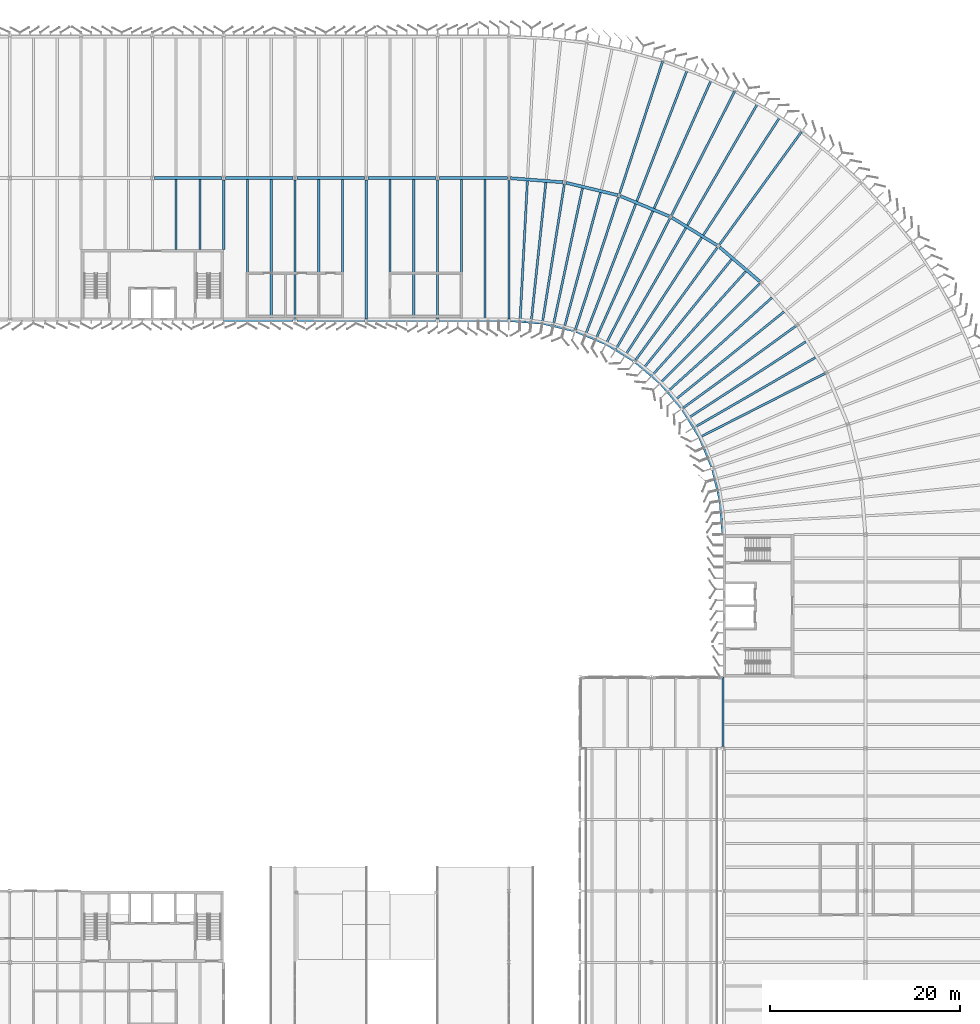
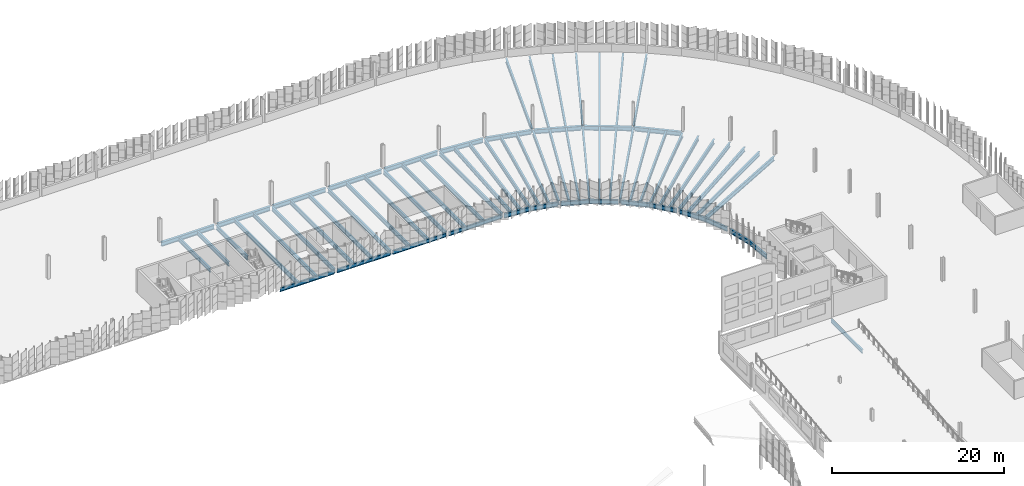
# One storey, part 43 of 199: 68 beams.
"""IFC4 building model written with IfcOpenShell, lengths in metres."""

from ifc_helpers import new_model, si_unit, direction, frame, origin, origin_2d, place, context, subcontext, project, spatial, i_section, extrude, material, material_profile, profile_set, type_object, element, save


model = new_model("IFC4")

# Units and contexts
model_context = context("Model", 3, precision=1e-05, world=origin(), true_north=direction((0.0, 1.0)))
body_context = subcontext(model_context, "Body", "Model", "MODEL_VIEW")
ifc_project = project(units=[si_unit("LENGTHUNIT", "METRE"), si_unit("AREAUNIT", "SQUARE_METRE"), si_unit("VOLUMEUNIT", "CUBIC_METRE"), si_unit("PLANEANGLEUNIT", "RADIAN"), si_unit("MASSUNIT", "GRAM", prefix="KILO")], contexts=[model_context])

# Site, building, storey
site_placement = place(None, origin())
site = spatial("IfcSite", under=ifc_project, at=site_placement, CompositionType="ELEMENT")
building_placement = place(site_placement, origin())
building = spatial("IfcBuilding", under=site, at=building_placement, Name="Parallax Yard Mobility Hub", CompositionType="ELEMENT")
storey_placement = place(building_placement, frame((0.0, 0.0, 9.89990234375)))
storey = spatial("IfcBuildingStorey", under=building, at=storey_placement, Name="L03", CompositionType="ELEMENT", Elevation=9.89990234375)

# Beams
ifc_material = material(Name="Steel ASTM A992", Category="steel")
ifc_material_profile_1 = material_profile(ifc_material, i_section(OverallWidth=0.208984375, OverallDepth=0.532958984375, WebThickness=0.01025390625, FlangeThickness=0.015625, FilletRadius=0.0126953125, at=origin_2d()), Name="W530x92")
ifc_profile_set_1 = profile_set([ifc_material_profile_1], Name="Steel ASTM A992")
beam_type_1 = type_object("IfcBeamType", Name="W530x92 edge beam", PredefinedType="SPANDREL", material=ifc_profile_set_1)
for number, where, z_axis, x_axis, name in (
    (1, (195.0, 67.6865234375, -0.406494140625), (0.0, 1.0, 0.0), (-1.0, 0.0, 0.0), "Edge beam SB5 level L03, line 27 of ramped parking decks, span 6"),
    (2, (142.5, 112.5, -0.406494140625), (1.0, 0.0, 0.0), (0.0, 1.0, 0.0), "Edge beam SB5 level L03, line R of ramped parking decks, span 12"),
):
    element("IfcBeam", number, at=place(storey_placement, frame(where, z_axis=z_axis, x_axis=x_axis)), inside=storey, type_object=beam_type_1, Name=name, PredefinedType="SPANDREL", context=body_context, shape_type="SweptSolid", body=[
        extrude(i_section(OverallWidth=0.208984375, OverallDepth=0.532958984375, WebThickness=0.01025390625, FlangeThickness=0.015625, FilletRadius=0.0126953125, at=origin_2d()), origin(), (0.0, 0.0, 1.0), 7.3134765625),
    ])
beam_1_placement = place(storey_placement, frame((150.1865234375, 112.5, -0.406494140625), z_axis=(1.0, 0.0, 0.0), x_axis=(0.0, 1.0, 0.0)))
element("IfcBeam", 3, at=beam_1_placement, inside=storey, type_object=beam_type_1, Name="Edge beam SB5 level L03, line R of ramped parking decks, span 13", PredefinedType="SPANDREL", context=body_context, shape_type="SweptSolid", body=[
    extrude(i_section(OverallWidth=0.208984375, OverallDepth=0.532958984375, WebThickness=0.01025390625, FlangeThickness=0.015625, FilletRadius=0.0126953125, at=origin_2d()), origin(), (0.0, 0.0, 1.0), 7.160888671875),
])
for number, where, z_axis, x_axis, name in (
    (4, (157.652587890625, 112.5, -0.406494140625), (1.0, 0.0, 0.0), (0.0, 1.0, 0.0), "Edge beam SB5 level L03, line R of ramped parking decks, span 14"),
    (5, (165.152587890625, 112.5, -0.406494140625), (1.0, 0.0, 0.0), (0.0, 1.0, 0.0), "Edge beam SB5 level L03, line R of ramped parking decks, span 15"),
):
    element("IfcBeam", number, at=place(storey_placement, frame(where, z_axis=z_axis, x_axis=x_axis)), inside=storey, type_object=beam_type_1, Name=name, PredefinedType="SPANDREL", context=body_context, shape_type="SweptSolid", body=[
        extrude(i_section(OverallWidth=0.208984375, OverallDepth=0.532958984375, WebThickness=0.01025390625, FlangeThickness=0.015625, FilletRadius=0.0126953125, at=origin_2d()), origin(), (0.0, 0.0, 1.0), 7.19482421875),
    ])
ifc_material_profile_2 = material_profile(ifc_material, i_section(OverallWidth=0.22802734375, OverallDepth=0.60205078125, WebThickness=0.010498046875, FlangeThickness=0.014892578125, FilletRadius=0.0126953125, at=origin_2d()), Name="W610x101")
ifc_profile_set_2 = profile_set([ifc_material_profile_2], Name="Steel ASTM A992")
beam_type_2 = type_object("IfcBeamType", Name="W610x101 secondary beam", PredefinedType="JOIST", material=ifc_profile_set_2)
beam_2_placement = place(storey_placement, frame((137.5, 120.0, -0.44091796875), z_axis=(0.0, 1.0, 0.0), x_axis=(-1.0, 0.0, 0.0)))
element("IfcBeam", 6, at=beam_2_placement, inside=storey, type_object=beam_type_2, Name="Secondary beam B3 level L03, 2.5 m east of line 19 of ramped parking decks, span 1", PredefinedType="JOIST", context=body_context, shape_type="SweptSolid", body=[
    extrude(i_section(OverallWidth=0.22802734375, OverallDepth=0.60205078125, WebThickness=0.010498046875, FlangeThickness=0.014892578125, FilletRadius=0.0126953125, at=origin_2d()), origin(), (0.0, 0.0, 1.0), 7.33740234375),
])
for number, where, z_axis, x_axis, name in (
    (7, (145.0, 112.6044921875, -0.44091796875), (0.0, 1.0, 0.0), (-1.0, 0.0, 0.0), "Secondary beam B3 level L03, 2.5 m east of line 20 of ramped parking decks, span 1"),
    (8, (152.5, 112.6044921875, -0.44091796875), (0.0, 1.0, 0.0), (-1.0, 0.0, 0.0), "Secondary beam B3 level L03, 2.5 m east of line 21 of ramped parking decks, span 1"),
    (9, (160.0, 112.6044921875, -0.44091796875), (0.0, 1.0, 0.0), (-1.0, 0.0, 0.0), "Secondary beam B3 level L03, 2.5 m east of line 22 of ramped parking decks, span 1"),
    (10, (167.5, 112.6044921875, -0.44091796875), (0.0, 1.0, 0.0), (-1.0, 0.0, 0.0), "Secondary beam B3 level L03, 2.5 m east of line 23 of ramped parking decks, span 1"),
):
    element("IfcBeam", number, at=place(storey_placement, frame(where, z_axis=z_axis, x_axis=x_axis)), inside=storey, type_object=beam_type_2, Name=name, PredefinedType="JOIST", context=body_context, shape_type="SweptSolid", body=[
        extrude(i_section(OverallWidth=0.22802734375, OverallDepth=0.60205078125, WebThickness=0.010498046875, FlangeThickness=0.014892578125, FilletRadius=0.0126953125, at=origin_2d()), origin(), (0.0, 0.0, 1.0), 14.73291015625),
    ])
beam_3_placement = place(storey_placement, frame((140.0, 120.0, -0.44091796875), z_axis=(0.0, 1.0, 0.0), x_axis=(-1.0, 0.0, 0.0)))
element("IfcBeam", 11, at=beam_3_placement, inside=storey, type_object=beam_type_2, Name="Secondary beam B3 level L03, 5 m east of line 19 of ramped parking decks, span 1", PredefinedType="JOIST", context=body_context, shape_type="SweptSolid", body=[
    extrude(i_section(OverallWidth=0.22802734375, OverallDepth=0.60205078125, WebThickness=0.010498046875, FlangeThickness=0.014892578125, FilletRadius=0.0126953125, at=origin_2d()), origin(), (0.0, 0.0, 1.0), 7.33740234375),
])
for number, where, z_axis, x_axis, name in (
    (12, (147.5, 112.6044921875, -0.44091796875), (0.0, 1.0, 0.0), (-1.0, 0.0, 0.0), "Secondary beam B3 level L03, 5 m east of line 20 of ramped parking decks, span 1"),
    (13, (155.0, 112.6044921875, -0.44091796875), (0.0, 1.0, 0.0), (-1.0, 0.0, 0.0), "Secondary beam B3 level L03, 5 m east of line 21 of ramped parking decks, span 1"),
    (14, (162.5, 112.6044921875, -0.44091796875), (0.0, 1.0, 0.0), (-1.0, 0.0, 0.0), "Secondary beam B3 level L03, 5 m east of line 22 of ramped parking decks, span 1"),
    (15, (170.0, 112.6044921875, -0.44091796875), (0.0, 1.0, 0.0), (-1.0, 0.0, 0.0), "Secondary beam B3 level L03, 5 m east of line 23 of ramped parking decks, span 1"),
):
    element("IfcBeam", number, at=place(storey_placement, frame(where, z_axis=z_axis, x_axis=x_axis)), inside=storey, type_object=beam_type_2, Name=name, PredefinedType="JOIST", context=body_context, shape_type="SweptSolid", body=[
        extrude(i_section(OverallWidth=0.22802734375, OverallDepth=0.60205078125, WebThickness=0.010498046875, FlangeThickness=0.014892578125, FilletRadius=0.0126953125, at=origin_2d()), origin(), (0.0, 0.0, 1.0), 14.73291015625),
    ])
for number, where, z_axis, x_axis, name in (
    (16, (177.18896484375, 112.06005859375, -0.44091796875), (0.207911657875, 0.978147607736, 0.0), (-0.978147607736, 0.207911657875, 0.0), "Secondary beam B3 level L03, radial at 12 degrees of ramped parking decks, span 1"),
    (17, (178.337158203125, 111.784423828125, -0.44091796875), (0.258813386129, 0.965927342589, 0.0), (-0.965927342589, 0.258813386129, 0.0), "Secondary beam B3 level L03, radial at 15 degrees of ramped parking decks, span 1"),
    (18, (180.582275390625, 111.054931640625, -0.44091796875), (0.358354982937, 0.933585403808, 0.0), (-0.933585403808, 0.358354982937, 0.0), "Secondary beam B3 level L03, radial at 21 degrees of ramped parking decks, span 1"),
    (19, (185.960205078125, 125.065185546875, -0.44091796875), (0.358369476341, 0.933579840414, 0.0), (-0.933579840414, 0.358369476341, 0.0), "Secondary beam B3 level L03, radial at 21 degrees of ramped parking decks, span 2"),
    (20, (181.673095703125, 110.60302734375, -0.44091796875), (0.406743189488, 0.913542542964, 0.0), (-0.913542542964, 0.406743189488, 0.0), "Secondary beam B3 level L03, radial at 24 degrees of ramped parking decks, span 1"),
):
    element("IfcBeam", number, at=place(storey_placement, frame(where, z_axis=z_axis, x_axis=x_axis)), inside=storey, type_object=beam_type_2, Name=name, PredefinedType="JOIST", context=body_context, shape_type="SweptSolid", body=[
        extrude(i_section(OverallWidth=0.22802734375, OverallDepth=0.60205078125, WebThickness=0.010498046875, FlangeThickness=0.014892578125, FilletRadius=0.0126953125, at=origin_2d()), origin(), (0.0, 0.0, 1.0), 14.681640625),
    ])
beam_4_placement = place(storey_placement, frame((187.77685546875, 124.3125, -0.44091796875), z_axis=(0.406737010648, 0.913545293989, 0.0), x_axis=(-0.913545293989, 0.406737010648, 0.0)))
element("IfcBeam", 21, at=beam_4_placement, inside=storey, type_object=beam_type_2, Name="Secondary beam B3 level L03, radial at 24 degrees of ramped parking decks, span 2", PredefinedType="JOIST", context=body_context, shape_type="SweptSolid", body=[
    extrude(i_section(OverallWidth=0.22802734375, OverallDepth=0.60205078125, WebThickness=0.010498046875, FlangeThickness=0.014892578125, FilletRadius=0.0126953125, at=origin_2d()), origin(), (0.0, 0.0, 1.0), 14.681884765625),
])
beam_5_placement = place(storey_placement, frame((173.680419921875, 112.52197265625, -0.44091796875), z_axis=(0.052331034694, 0.99862979267, 0.0), x_axis=(-0.99862979267, 0.052331034694, 0.0)))
element("IfcBeam", 22, at=beam_5_placement, inside=storey, type_object=beam_type_2, Name="Secondary beam B3 level L03, radial at 3 degrees of ramped parking decks, span 1", PredefinedType="JOIST", context=body_context, shape_type="SweptSolid", body=[
    extrude(i_section(OverallWidth=0.22802734375, OverallDepth=0.60205078125, WebThickness=0.010498046875, FlangeThickness=0.014892578125, FilletRadius=0.0126953125, at=origin_2d()), origin(), (0.0, 0.0, 1.0), 14.681640625),
])
for number, where, z_axis, x_axis, name in (
    (23, (183.7763671875, 109.53125, -0.44091796875), (0.499994986164, 0.866028298505, 0.0), (-0.866028298505, 0.499994986164, 0.0), "Secondary beam B3 level L03, radial at 30 degrees of ramped parking decks, span 1"),
    (24, (191.27978515625, 122.527587890625, -0.44091796875), (0.499994986164, 0.866028298505, 0.0), (-0.866028298505, 0.499994986164, 0.0), "Secondary beam B3 level L03, radial at 30 degrees of ramped parking decks, span 2"),
):
    element("IfcBeam", number, at=place(storey_placement, frame(where, z_axis=z_axis, x_axis=x_axis)), inside=storey, type_object=beam_type_2, Name=name, PredefinedType="JOIST", context=body_context, shape_type="SweptSolid", body=[
        extrude(i_section(OverallWidth=0.22802734375, OverallDepth=0.60205078125, WebThickness=0.010498046875, FlangeThickness=0.014892578125, FilletRadius=0.0126953125, at=origin_2d()), origin(), (0.0, 0.0, 1.0), 14.681884765625),
    ])
beam_6_placement = place(storey_placement, frame((184.783203125, 108.914306640625, -0.44091796875), z_axis=(0.544628836303, 0.838677190978, 0.0), x_axis=(-0.838677190978, 0.544628836303, 0.0)))
element("IfcBeam", 25, at=beam_6_placement, inside=storey, type_object=beam_type_2, Name="Secondary beam B3 level L03, radial at 33 degrees of ramped parking decks, span 1", PredefinedType="JOIST", context=body_context, shape_type="SweptSolid", body=[
    extrude(i_section(OverallWidth=0.22802734375, OverallDepth=0.60205078125, WebThickness=0.010498046875, FlangeThickness=0.014892578125, FilletRadius=0.0126953125, at=origin_2d()), origin(), (0.0, 0.0, 1.0), 14.681640625),
])
for number, where, z_axis, x_axis, name in (
    (26, (192.95654296875, 121.500244140625, -0.44091796875), (0.544640532551, 0.838669595432, 0.0), (-0.838669595432, 0.544640532551, 0.0), "Secondary beam B3 level L03, radial at 33 degrees of ramped parking decks, span 2"),
    (27, (186.693115234375, 107.52685546875, -0.44091796875), (0.629317812071, 0.777148049865, 0.0), (-0.777148049865, 0.629317812071, 0.0), "Secondary beam B3 level L03, radial at 39 degrees of ramped parking decks, span 1"),
):
    element("IfcBeam", number, at=place(storey_placement, frame(where, z_axis=z_axis, x_axis=x_axis)), inside=storey, type_object=beam_type_2, Name=name, PredefinedType="JOIST", context=body_context, shape_type="SweptSolid", body=[
        extrude(i_section(OverallWidth=0.22802734375, OverallDepth=0.60205078125, WebThickness=0.010498046875, FlangeThickness=0.014892578125, FilletRadius=0.0126953125, at=origin_2d()), origin(), (0.0, 0.0, 1.0), 14.681884765625),
    ])
for number, where, z_axis, x_axis, name in (
    (28, (187.5908203125, 106.760009765625, -0.44091796875), (0.669130085287, 0.743145294652, 0.0), (-0.743145294652, 0.669130085287, 0.0), "Secondary beam B3 level L03, radial at 42 degrees of ramped parking decks, span 1"),
    (29, (189.260009765625, 105.0908203125, -0.44091796875), (0.743145294652, 0.669130085287, 0.0), (-0.669130085287, 0.743145294652, 0.0), "Secondary beam B3 level L03, radial at 48 degrees of ramped parking decks, span 1"),
):
    element("IfcBeam", number, at=place(storey_placement, frame(where, z_axis=z_axis, x_axis=x_axis)), inside=storey, type_object=beam_type_2, Name=name, PredefinedType="JOIST", context=body_context, shape_type="SweptSolid", body=[
        extrude(i_section(OverallWidth=0.22802734375, OverallDepth=0.60205078125, WebThickness=0.010498046875, FlangeThickness=0.014892578125, FilletRadius=0.0126953125, at=origin_2d()), origin(), (0.0, 0.0, 1.0), 14.681640625),
    ])
beam_7_placement = place(storey_placement, frame((190.02685546875, 104.193115234375, -0.44091796875), z_axis=(0.777148049865, 0.629317812071, 0.0), x_axis=(-0.629317812071, 0.777148049865, 0.0)))
element("IfcBeam", 30, at=beam_7_placement, inside=storey, type_object=beam_type_2, Name="Secondary beam B3 level L03, radial at 51 degrees of ramped parking decks, span 1", PredefinedType="JOIST", context=body_context, shape_type="SweptSolid", body=[
    extrude(i_section(OverallWidth=0.22802734375, OverallDepth=0.60205078125, WebThickness=0.010498046875, FlangeThickness=0.014892578125, FilletRadius=0.0126953125, at=origin_2d()), origin(), (0.0, 0.0, 1.0), 14.681884765625),
])
beam_8_placement = place(storey_placement, frame((191.414306640625, 102.283203125, -0.44091796875), z_axis=(0.838677190978, 0.544628836303, 0.0), x_axis=(-0.544628836303, 0.838677190978, 0.0)))
element("IfcBeam", 31, at=beam_8_placement, inside=storey, type_object=beam_type_2, Name="Secondary beam B3 level L03, radial at 57 degrees of ramped parking decks, span 1", PredefinedType="JOIST", context=body_context, shape_type="SweptSolid", body=[
    extrude(i_section(OverallWidth=0.22802734375, OverallDepth=0.60205078125, WebThickness=0.010498046875, FlangeThickness=0.014892578125, FilletRadius=0.0126953125, at=origin_2d()), origin(), (0.0, 0.0, 1.0), 14.681640625),
])
for number, where, z_axis, x_axis, name in (
    (32, (174.857421875, 112.42919921875, -0.44091796875), (0.104527244507, 0.994522023464, 0.0), (-0.994522023464, 0.104527244507, 0.0), "Secondary beam B3 level L03, radial at 6 degrees of ramped parking decks, span 1"),
    (33, (192.03125, 101.2763671875, -0.44091796875), (0.866028298505, 0.499994986164, 0.0), (-0.499994986164, 0.866028298505, 0.0), "Secondary beam B3 level L03, radial at 60 degrees of ramped parking decks, span 1"),
):
    element("IfcBeam", number, at=place(storey_placement, frame(where, z_axis=z_axis, x_axis=x_axis)), inside=storey, type_object=beam_type_2, Name=name, PredefinedType="JOIST", context=body_context, shape_type="SweptSolid", body=[
        extrude(i_section(OverallWidth=0.22802734375, OverallDepth=0.60205078125, WebThickness=0.010498046875, FlangeThickness=0.014892578125, FilletRadius=0.0126953125, at=origin_2d()), origin(), (0.0, 0.0, 1.0), 14.681884765625),
    ])
ifc_material_profile_3 = material_profile(ifc_material, i_section(OverallWidth=0.22900390625, OverallDepth=0.612060546875, WebThickness=0.011962890625, FlangeThickness=0.01953125, FilletRadius=0.0126953125, at=origin_2d()), Name="W610x125")
ifc_profile_set_3 = profile_set([ifc_material_profile_3], Name="Steel ASTM A992")
beam_type_3 = type_object("IfcBeamType", Name="W610x125 edge beam", PredefinedType="SPANDREL", material=ifc_profile_set_3)
for number, where, z_axis, x_axis, name in (
    (34, (172.652587890625, 112.488037109375, -0.44580078125), (0.996914245703, -0.078498323001, 0.0), (0.078498323001, 0.996914245703, 0.0), "Edge beam SB7 level L03, ring RA of ramped parking decks, span 1"),
    (35, (176.019775390625, 112.222900390625, -0.44580078125), (0.972382709115, -0.233392088585, 0.0), (0.233392088585, 0.972382709115, 0.0), "Edge beam SB7 level L03, ring RA of ramped parking decks, span 2"),
    (36, (179.59423828125, 111.34033203125, -0.44580078125), (0.923866186286, -0.382715651415, 0.0), (0.382715651415, 0.923866186286, 0.0), "Edge beam SB7 level L03, ring RA of ramped parking decks, span 3"),
    (37, (182.71484375, 110.047607421875, -0.44580078125), (0.852627222233, -0.522519683751, 0.0), (0.522519683751, 0.852627222233, 0.0), "Edge beam SB7 level L03, ring RA of ramped parking decks, span 4"),
    (38, (185.841552734375, 108.103515625, -0.44580078125), (0.760403424442, -0.649451023632, 0.0), (0.649451023632, 0.760403424442, 0.0), "Edge beam SB7 level L03, ring RA of ramped parking decks, span 5"),
    (39, (188.409912109375, 105.909912109375, -0.44580078125), (0.649451023632, -0.760403424442, 0.0), (0.760403424442, 0.649451023632, 0.0), "Edge beam SB7 level L03, ring RA of ramped parking decks, span 6"),
    (40, (190.78271484375, 103.0947265625, -0.44580078125), (0.522519683751, -0.852627222233, 0.0), (0.852627222233, 0.522519683751, 0.0), "Edge beam SB7 level L03, ring RA of ramped parking decks, span 7"),
):
    element("IfcBeam", number, at=place(storey_placement, frame(where, z_axis=z_axis, x_axis=x_axis)), inside=storey, type_object=beam_type_3, Name=name, PredefinedType="SPANDREL", context=body_context, shape_type="SweptSolid", body=[
        extrude(i_section(OverallWidth=0.22900390625, OverallDepth=0.612060546875, WebThickness=0.011962890625, FlangeThickness=0.01953125, FilletRadius=0.0126953125, at=origin_2d()), origin(), (0.0, 0.0, 1.0), 3.377685546875),
    ])
for number, where, z_axis, x_axis, name in (
    (41, (192.547607421875, 100.21484375, -0.44580078125), (0.382680677364, -0.923880673665, 0.0), (0.923880673665, 0.382680677364, 0.0), "Edge beam SB7 level L03, ring RA of ramped parking decks, span 8"),
    (42, (193.9423828125, 96.77099609375, -0.44580078125), (0.23343646934, -0.972372055739, 0.0), (0.972372055739, 0.23343646934, 0.0), "Edge beam SB7 level L03, ring RA of ramped parking decks, span 9"),
):
    element("IfcBeam", number, at=place(storey_placement, frame(where, z_axis=z_axis, x_axis=x_axis)), inside=storey, type_object=beam_type_3, Name=name, PredefinedType="SPANDREL", context=body_context, shape_type="SweptSolid", body=[
        extrude(i_section(OverallWidth=0.22900390625, OverallDepth=0.612060546875, WebThickness=0.011962890625, FlangeThickness=0.01953125, FilletRadius=0.0126953125, at=origin_2d()), origin(), (0.0, 0.0, 1.0), 3.343505859375),
    ])
beam_9_placement = place(storey_placement, frame((194.722900390625, 93.519775390625, -0.44580078125), z_axis=(0.078483663652, -0.996915399891, 0.0), x_axis=(0.996915399891, 0.078483663652, 0.0)))
element("IfcBeam", 43, at=beam_9_placement, inside=storey, type_object=beam_type_3, Name="Edge beam SB7 level L03, ring RA of ramped parking decks, span 10", PredefinedType="SPANDREL", context=body_context, shape_type="SweptSolid", body=[
    extrude(i_section(OverallWidth=0.22900390625, OverallDepth=0.612060546875, WebThickness=0.011962890625, FlangeThickness=0.01953125, FilletRadius=0.0126953125, at=origin_2d()), origin(), (0.0, 0.0, 1.0), 3.53076171875),
])
ifc_material_profile_4 = material_profile(ifc_material, i_section(OverallWidth=0.22900390625, OverallDepth=0.612060546875, WebThickness=0.011962890625, FlangeThickness=0.01953125, FilletRadius=0.0126953125, at=origin_2d()), Name="W610x125")
ifc_profile_set_4 = profile_set([ifc_material_profile_4], Name="Steel ASTM A992")
beam_type_4 = type_object("IfcBeamType", Name="W610x125 girder", PredefinedType="BEAM", material=ifc_profile_set_4)
beam_10_placement = place(storey_placement, frame((142.5, 120.0, -0.44580078125), z_axis=(0.0, 1.0, 0.0), x_axis=(-1.0, 0.0, 0.0)))
element("IfcBeam", 44, at=beam_10_placement, inside=storey, type_object=beam_type_4, Name="Girder G3 level L03, line 20 of ramped parking decks, span 1", PredefinedType="BEAM", context=body_context, shape_type="SweptSolid", body=[
    extrude(i_section(OverallWidth=0.22900390625, OverallDepth=0.612060546875, WebThickness=0.011962890625, FlangeThickness=0.01953125, FilletRadius=0.0126953125, at=origin_2d()), origin(), (0.0, 0.0, 1.0), 7.31201171875),
])
beam_11_placement = place(storey_placement, frame((150.0, 112.68408203125, -0.44580078125), z_axis=(0.0, 1.0, 0.0), x_axis=(-1.0, 0.0, 0.0)))
element("IfcBeam", 45, at=beam_11_placement, inside=storey, type_object=beam_type_4, Name="Girder G3 level L03, line 21 of ramped parking decks, span 1", PredefinedType="BEAM", context=body_context, shape_type="SweptSolid", body=[
    extrude(i_section(OverallWidth=0.22900390625, OverallDepth=0.612060546875, WebThickness=0.011962890625, FlangeThickness=0.01953125, FilletRadius=0.0126953125, at=origin_2d()), origin(), (0.0, 0.0, 1.0), 14.6318359375),
])
for number, where, z_axis, x_axis, name in (
    (46, (157.5, 112.653564453125, -0.44580078125), (0.0, 1.0, 0.0), (-1.0, 0.0, 0.0), "Girder G3 level L03, line 22 of ramped parking decks, span 1"),
    (47, (165.0, 112.653564453125, -0.44580078125), (0.0, 1.0, 0.0), (-1.0, 0.0, 0.0), "Girder G3 level L03, line 23 of ramped parking decks, span 1"),
):
    element("IfcBeam", number, at=place(storey_placement, frame(where, z_axis=z_axis, x_axis=x_axis)), inside=storey, type_object=beam_type_4, Name=name, PredefinedType="BEAM", context=body_context, shape_type="SweptSolid", body=[
        extrude(i_section(OverallWidth=0.22900390625, OverallDepth=0.612060546875, WebThickness=0.011962890625, FlangeThickness=0.01953125, FilletRadius=0.0126953125, at=origin_2d()), origin(), (0.0, 0.0, 1.0), 14.662353515625),
    ])
beam_12_placement = place(storey_placement, frame((172.5, 112.653564453125, -0.44580078125), z_axis=(0.0, 1.0, 0.0), x_axis=(-1.0, 0.0, 0.0)))
element("IfcBeam", 48, at=beam_12_placement, inside=storey, type_object=beam_type_4, Name="Girder G3 level L03, line 24 of ramped parking decks, span 1", PredefinedType="BEAM", context=body_context, shape_type="SweptSolid", body=[
    extrude(i_section(OverallWidth=0.22900390625, OverallDepth=0.612060546875, WebThickness=0.011962890625, FlangeThickness=0.01953125, FilletRadius=0.0126953125, at=origin_2d()), origin(), (0.0, 0.0, 1.0), 14.682373046875),
])
beam_13_placement = place(storey_placement, frame((179.500244140625, 111.544921875, -0.44580078125), z_axis=(0.309020272796, 0.951055451065, 0.0), x_axis=(-0.951055451065, 0.309020272796, 0.0)))
element("IfcBeam", 49, at=beam_13_placement, inside=storey, type_object=beam_type_4, Name="Girder G3 level L03, radial R2 of ramped parking decks, span 1", PredefinedType="BEAM", context=body_context, shape_type="SweptSolid", body=[
    extrude(i_section(OverallWidth=0.22900390625, OverallDepth=0.612060546875, WebThickness=0.011962890625, FlangeThickness=0.01953125, FilletRadius=0.0126953125, at=origin_2d()), origin(), (0.0, 0.0, 1.0), 14.68212890625),
])
beam_14_placement = place(storey_placement, frame((184.138916015625, 125.820556640625, -0.44580078125), z_axis=(0.309015385889, 0.951057038922, 0.0), x_axis=(-0.951057038922, 0.309015385889, 0.0)))
element("IfcBeam", 50, at=beam_14_placement, inside=storey, type_object=beam_type_4, Name="Girder G3 level L03, radial R2 of ramped parking decks, span 2", PredefinedType="BEAM", context=body_context, shape_type="SweptSolid", body=[
    extrude(i_section(OverallWidth=0.22900390625, OverallDepth=0.612060546875, WebThickness=0.011962890625, FlangeThickness=0.01953125, FilletRadius=0.0126953125, at=origin_2d()), origin(), (0.0, 0.0, 1.0), 14.682373046875),
])
beam_15_placement = place(storey_placement, frame((189.59912109375, 123.558837890625, -0.44580078125), z_axis=(0.453991539812, 0.891005994244, 0.0), x_axis=(-0.891005994244, 0.453991539812, 0.0)))
element("IfcBeam", 51, at=beam_15_placement, inside=storey, type_object=beam_type_4, Name="Girder G3 level L03, radial R3 of ramped parking decks, span 1", PredefinedType="BEAM", context=body_context, shape_type="SweptSolid", body=[
    extrude(i_section(OverallWidth=0.22900390625, OverallDepth=0.612060546875, WebThickness=0.011962890625, FlangeThickness=0.01953125, FilletRadius=0.0126953125, at=origin_2d()), origin(), (0.0, 0.0, 1.0), 14.6826171875),
])
beam_16_placement = place(storey_placement, frame((185.8154296875, 108.3271484375, -0.44580078125), z_axis=(0.587790981089, 0.809012832129, 0.0), x_axis=(-0.809012832129, 0.587790981089, 0.0)))
element("IfcBeam", 52, at=beam_16_placement, inside=storey, type_object=beam_type_4, Name="Girder G3 level L03, radial R4 of ramped parking decks, span 1", PredefinedType="BEAM", context=body_context, shape_type="SweptSolid", body=[
    extrude(i_section(OverallWidth=0.22900390625, OverallDepth=0.612060546875, WebThickness=0.011962890625, FlangeThickness=0.01953125, FilletRadius=0.0126953125, at=origin_2d()), origin(), (0.0, 0.0, 1.0), 14.682373046875),
])
beam_17_placement = place(storey_placement, frame((194.63818359375, 120.470703125, -0.44580078125), z_axis=(0.587793956991, 0.80901066997, 0.0), x_axis=(-0.80901066997, 0.587793956991, 0.0)))
element("IfcBeam", 53, at=beam_17_placement, inside=storey, type_object=beam_type_4, Name="Girder G3 level L03, radial R4 of ramped parking decks, span 2", PredefinedType="BEAM", context=body_context, shape_type="SweptSolid", body=[
    extrude(i_section(OverallWidth=0.22900390625, OverallDepth=0.612060546875, WebThickness=0.011962890625, FlangeThickness=0.01953125, FilletRadius=0.0126953125, at=origin_2d()), origin(), (0.0, 0.0, 1.0), 14.6826171875),
])
beam_18_placement = place(storey_placement, frame((190.8271484375, 103.3154296875, -0.44580078125), z_axis=(0.809012832129, 0.587790981089, 0.0), x_axis=(-0.587790981089, 0.809012832129, 0.0)))
element("IfcBeam", 54, at=beam_18_placement, inside=storey, type_object=beam_type_4, Name="Girder G3 level L03, radial R6 of ramped parking decks, span 1", PredefinedType="BEAM", context=body_context, shape_type="SweptSolid", body=[
    extrude(i_section(OverallWidth=0.22900390625, OverallDepth=0.612060546875, WebThickness=0.011962890625, FlangeThickness=0.01953125, FilletRadius=0.0126953125, at=origin_2d()), origin(), (0.0, 0.0, 1.0), 14.682373046875),
])
for number, where, z_axis, x_axis, name in (
    (55, (176.019775390625, 112.222900390625, -0.44580078125), (0.156430706831, 0.98768893583, 0.0), (-0.98768893583, 0.156430706831, 0.0), "Girder G3 level L03, radial R1 of ramped parking decks, span 2"),
    (56, (182.71484375, 110.047607421875, -0.44580078125), (0.453987162301, 0.891008224691, 0.0), (-0.891008224691, 0.453987162301, 0.0), "Girder G3 level L03, radial R3 of ramped parking decks, span 2"),
):
    element("IfcBeam", number, at=place(storey_placement, frame(where, z_axis=z_axis, x_axis=x_axis)), inside=storey, type_object=beam_type_4, Name=name, PredefinedType="BEAM", context=body_context, shape_type="SweptSolid", body=[
        extrude(i_section(OverallWidth=0.22900390625, OverallDepth=0.612060546875, WebThickness=0.011962890625, FlangeThickness=0.01953125, FilletRadius=0.0126953125, at=origin_2d()), origin(), (0.0, 0.0, 1.0), 14.8359375),
    ])
beam_19_placement = place(storey_placement, frame((188.409912109375, 105.909912109375, -0.44580078125), z_axis=(0.707106781187, 0.707106781187, 0.0), x_axis=(-0.707106781187, 0.707106781187, 0.0)))
element("IfcBeam", 57, at=beam_19_placement, inside=storey, type_object=beam_type_4, Name="Girder G3 level L03, radial R5 of ramped parking decks, span 2", PredefinedType="BEAM", context=body_context, shape_type="SweptSolid", body=[
    extrude(i_section(OverallWidth=0.22900390625, OverallDepth=0.612060546875, WebThickness=0.011962890625, FlangeThickness=0.01953125, FilletRadius=0.0126953125, at=origin_2d()), origin(), (0.0, 0.0, 1.0), 14.835693359375),
])
beam_20_placement = place(storey_placement, frame((192.547607421875, 100.21484375, -0.44580078125), z_axis=(0.891008224691, 0.453987162301, 0.0), x_axis=(-0.453987162301, 0.891008224691, 0.0)))
element("IfcBeam", 58, at=beam_20_placement, inside=storey, type_object=beam_type_4, Name="Girder G3 level L03, radial R7 of ramped parking decks, span 2", PredefinedType="BEAM", context=body_context, shape_type="SweptSolid", body=[
    extrude(i_section(OverallWidth=0.22900390625, OverallDepth=0.612060546875, WebThickness=0.011962890625, FlangeThickness=0.01953125, FilletRadius=0.0126953125, at=origin_2d()), origin(), (0.0, 0.0, 1.0), 14.8359375),
])
ifc_material_profile_5 = material_profile(ifc_material, i_section(OverallWidth=0.324951171875, OverallDepth=0.612060546875, WebThickness=0.0126953125, FlangeThickness=0.01904296875, FilletRadius=0.0126953125, at=origin_2d()), Name="W610x155")
ifc_profile_set_5 = profile_set([ifc_material_profile_5], Name="Steel ASTM A992")
beam_type_5 = type_object("IfcBeamType", Name="W610x155 longitudinal beam", PredefinedType="BEAM", material=ifc_profile_set_5)
beam_21_placement = place(storey_placement, frame((135.197998046875, 127.5, -0.44580078125), z_axis=(1.0, 0.0, 0.0), x_axis=(0.0, 1.0, 0.0)))
element("IfcBeam", 59, at=beam_21_placement, inside=storey, type_object=beam_type_5, Name="Longitudinal beam SB8 level L03, line T of ramped parking decks, span 15", PredefinedType="BEAM", context=body_context, shape_type="SweptSolid", body=[
    extrude(i_section(OverallWidth=0.324951171875, OverallDepth=0.612060546875, WebThickness=0.0126953125, FlangeThickness=0.01904296875, FilletRadius=0.0126953125, at=origin_2d()), origin(), (0.0, 0.0, 1.0), 7.10498046875),
])
beam_22_placement = place(storey_placement, frame((142.697021484375, 127.5, -0.44580078125), z_axis=(1.0, 0.0, 0.0), x_axis=(0.0, 1.0, 0.0)))
element("IfcBeam", 60, at=beam_22_placement, inside=storey, type_object=beam_type_5, Name="Longitudinal beam SB8 level L03, line T of ramped parking decks, span 16", PredefinedType="BEAM", context=body_context, shape_type="SweptSolid", body=[
    extrude(i_section(OverallWidth=0.324951171875, OverallDepth=0.612060546875, WebThickness=0.0126953125, FlangeThickness=0.01904296875, FilletRadius=0.0126953125, at=origin_2d()), origin(), (0.0, 0.0, 1.0), 7.116455078125),
])
for number, where, z_axis, x_axis, name in (
    (61, (150.1865234375, 127.5, -0.44580078125), (1.0, 0.0, 0.0), (0.0, 1.0, 0.0), "Longitudinal beam SB8 level L03, line T of ramped parking decks, span 17"),
    (62, (157.6865234375, 127.5, -0.44580078125), (1.0, 0.0, 0.0), (0.0, 1.0, 0.0), "Longitudinal beam SB8 level L03, line T of ramped parking decks, span 18"),
):
    element("IfcBeam", number, at=place(storey_placement, frame(where, z_axis=z_axis, x_axis=x_axis)), inside=storey, type_object=beam_type_5, Name=name, PredefinedType="BEAM", context=body_context, shape_type="SweptSolid", body=[
        extrude(i_section(OverallWidth=0.324951171875, OverallDepth=0.612060546875, WebThickness=0.0126953125, FlangeThickness=0.01904296875, FilletRadius=0.0126953125, at=origin_2d()), origin(), (0.0, 0.0, 1.0), 7.126953125),
    ])
beam_23_placement = place(storey_placement, frame((165.1865234375, 127.5, -0.44580078125), z_axis=(1.0, 0.0, 0.0), x_axis=(0.0, 1.0, 0.0)))
element("IfcBeam", 63, at=beam_23_placement, inside=storey, type_object=beam_type_5, Name="Longitudinal beam SB8 level L03, line T of ramped parking decks, span 19", PredefinedType="BEAM", context=body_context, shape_type="SweptSolid", body=[
    extrude(i_section(OverallWidth=0.324951171875, OverallDepth=0.612060546875, WebThickness=0.0126953125, FlangeThickness=0.01904296875, FilletRadius=0.0126953125, at=origin_2d()), origin(), (0.0, 0.0, 1.0), 7.158447265625),
])
beam_24_placement = place(storey_placement, frame((172.655029296875, 127.48779296875, -0.44580078125), z_axis=(0.996917653893, -0.0784550276, 0.0), x_axis=(0.0784550276, 0.996917653893, 0.0)))
element("IfcBeam", 64, at=beam_24_placement, inside=storey, type_object=beam_type_5, Name="Longitudinal beam SB8 level L03, ring RB of ramped parking decks, span 1", PredefinedType="BEAM", context=body_context, shape_type="SweptSolid", body=[
    extrude(i_section(OverallWidth=0.324951171875, OverallDepth=0.612060546875, WebThickness=0.0126953125, FlangeThickness=0.01904296875, FilletRadius=0.0126953125, at=origin_2d()), origin(), (0.0, 0.0, 1.0), 5.5732421875),
])
beam_25_placement = place(storey_placement, frame((178.517578125, 127.001953125, -0.44580078125), z_axis=(0.972372588094, -0.233434251822, 0.0), x_axis=(0.233434251822, 0.972372588094, 0.0)))
element("IfcBeam", 65, at=beam_25_placement, inside=storey, type_object=beam_type_5, Name="Longitudinal beam SB8 level L03, ring RB of ramped parking decks, span 2", PredefinedType="BEAM", context=body_context, shape_type="SweptSolid", body=[
    extrude(i_section(OverallWidth=0.324951171875, OverallDepth=0.612060546875, WebThickness=0.0126953125, FlangeThickness=0.01904296875, FilletRadius=0.0126953125, at=origin_2d()), origin(), (0.0, 0.0, 1.0), 5.573486328125),
])
beam_26_placement = place(storey_placement, frame((184.231689453125, 125.60498046875, -0.44580078125), z_axis=(0.923888707417, -0.382661281433, 0.0), x_axis=(0.382661281433, 0.923888707417, 0.0)))
element("IfcBeam", 66, at=beam_26_placement, inside=storey, type_object=beam_type_5, Name="Longitudinal beam SB8 level L03, ring RB of ramped parking decks, span 3", PredefinedType="BEAM", context=body_context, shape_type="SweptSolid", body=[
    extrude(i_section(OverallWidth=0.324951171875, OverallDepth=0.612060546875, WebThickness=0.0126953125, FlangeThickness=0.01904296875, FilletRadius=0.0126953125, at=origin_2d()), origin(), (0.0, 0.0, 1.0), 5.57373046875),
])
for number, where, z_axis, x_axis, name in (
    (67, (189.6572265625, 123.33154296875, -0.44580078125), (0.852611954859, -0.522544595639, 0.0), (0.522544595639, 0.852611954859, 0.0), "Longitudinal beam SB8 level L03, ring RB of ramped parking decks, span 4"),
    (68, (194.66015625, 120.237060546875, -0.44580078125), (0.760405676132, -0.649448387254, 0.0), (0.649448387254, 0.760405676132, 0.0), "Longitudinal beam SB8 level L03, ring RB of ramped parking decks, span 5"),
):
    element("IfcBeam", number, at=place(storey_placement, frame(where, z_axis=z_axis, x_axis=x_axis)), inside=storey, type_object=beam_type_5, Name=name, PredefinedType="BEAM", context=body_context, shape_type="SweptSolid", body=[
        extrude(i_section(OverallWidth=0.324951171875, OverallDepth=0.612060546875, WebThickness=0.0126953125, FlangeThickness=0.01904296875, FilletRadius=0.0126953125, at=origin_2d()), origin(), (0.0, 0.0, 1.0), 5.573486328125),
    ])

save(model, "model.ifc")
